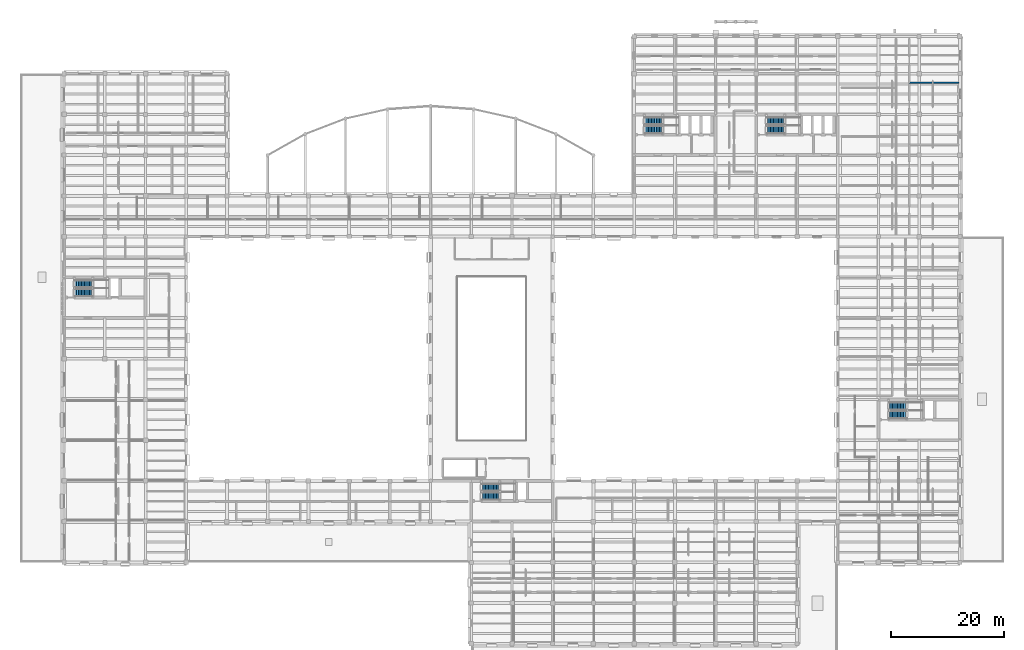
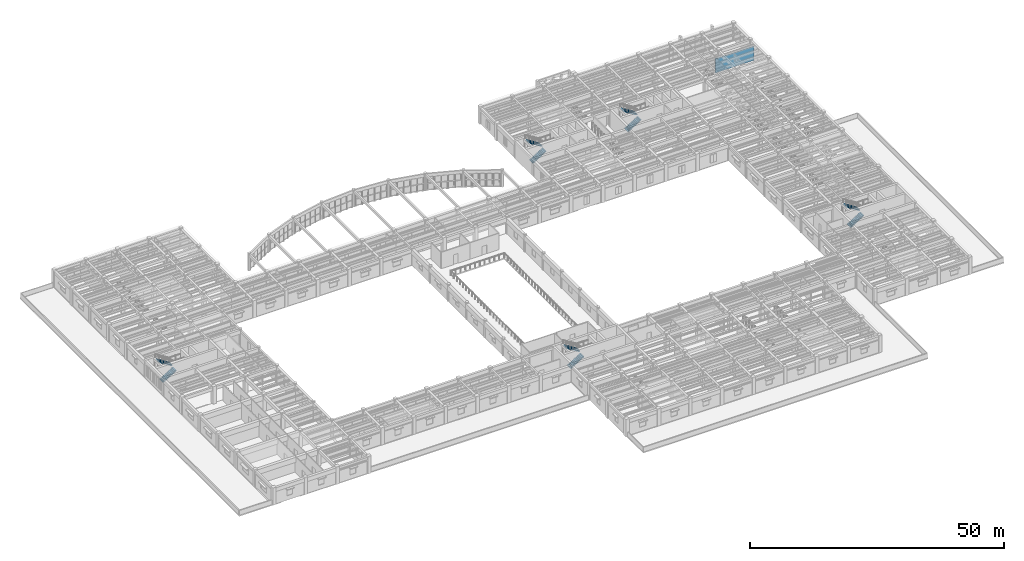
# One storey, part 63 of 76: 10 stair flights, 1 wall, 5 elements without a shape of their own.
"""IFC4 building model written with IfcOpenShell, lengths in metres."""

from ifc_helpers import new_model, si_unit, direction, frame, frame_2d, origin, place, context, subcontext, project, spatial, polyline, rectangle, outline, extrude, material, layer, layer_set, type_object, element, aggregate, save


model = new_model("IFC4")

# Units and contexts
model_context = context("Model", 3, precision=1e-05, world=origin(), true_north=direction((0.0, 1.0)))
body_context = subcontext(model_context, "Body", "Model", "MODEL_VIEW")
ifc_project = project(units=[si_unit("LENGTHUNIT", "METRE"), si_unit("AREAUNIT", "SQUARE_METRE"), si_unit("VOLUMEUNIT", "CUBIC_METRE"), si_unit("PLANEANGLEUNIT", "RADIAN"), si_unit("MASSUNIT", "GRAM", prefix="KILO")], contexts=[model_context])

# Site, building, storey
site_placement = place(None, origin())
site = spatial("IfcSite", under=ifc_project, at=site_placement, CompositionType="ELEMENT")
building_placement = place(site_placement, origin())
building = spatial("IfcBuilding", under=site, at=building_placement, Name="Mithqara Police Headquarters", CompositionType="ELEMENT")
storey_placement = place(building_placement, frame((0.0, 0.0, 5.39990234375)))
storey = spatial("IfcBuildingStorey", under=building, at=storey_placement, Name="L01", CompositionType="ELEMENT", Elevation=5.39990234375)

# Wall
ifc_material = material(Name="Concrete C40/50", Category="concrete")
ifc_layer = layer(ifc_material, 0.2099609375, Name="Concrete C40/50")
ifc_layer_set = layer_set([ifc_layer], Name="Concrete C40/50")
wall_type = type_object("IfcWallType", Name="PART WALL 210", PredefinedType="PARTITIONING", material=ifc_layer_set)
wall_placement = place(storey_placement, frame((157.235107421875, 105.7900390625, 0.0), z_axis=(0.0, 0.0, 1.0), x_axis=(1.0, 0.0, 0.0)))
element("IfcWall", 1, at=wall_placement, inside=storey, type_object=wall_type, Name="L01 Room Partition Patrol Supervisors' Office", PredefinedType="PARTITIONING", context=body_context, shape_type="SweptSolid", body=[
    extrude(rectangle(XDim=8.784912109375, YDim=0.2099609375, at=frame_2d((4.392578125, 0.0))), origin(), (0.0, 0.0, 1.0), 3.3701171875),
])

# Stair, stair flights
stair_type_1 = type_object("IfcStairType", Name="STAIR ST 01-R24", PredefinedType="HALF_TURN_STAIR", material=ifc_material)
stair_1_placement = place(storey_placement, origin())
stair_1 = element("IfcStair", 2, at=stair_1_placement, inside=storey, type_object=stair_type_1, Name="L01 Core C1 Command West Exit Stair", PredefinedType="HALF_TURN_STAIR")
stair_flight_type_1 = type_object("IfcStairFlightType", Name="STAIR FLIGHT ST 01 F R12", PredefinedType="STRAIGHT", material=ifc_material)
stair_flight_1_placement = place(storey_placement, frame((110.550048828125, 97.47509765625, 0.0), z_axis=(0.0, 0.0, 1.0), x_axis=(1.0, 0.0, 0.0)))
stair_flight_1 = element("IfcStairFlight", 3, at=stair_flight_1_placement, type_object=stair_flight_type_1, Name="ST-01 flight 1", NumberOfRisers=12, NumberOfTreads=11, PredefinedType="STRAIGHT", RiserHeight=0.175, TreadLength=0.28, context=body_context, shape_type="SweptSolid", body=[
    extrude(outline(polyline([(0.0, 0.0), (0.0, 0.175048828125), (0.280029296875, 0.175048828125), (0.280029296875, 0.35009765625), (0.56005859375, 0.35009765625), (0.56005859375, 0.52490234375), (0.840087890625, 0.52490234375), (0.840087890625, 0.699951171875), (1.1201171875, 0.699951171875), (1.1201171875, 0.875), (1.39990234375, 0.875), (1.39990234375, 1.050048828125), (1.679931640625, 1.050048828125), (1.679931640625, 1.22509765625), (1.9599609375, 1.22509765625), (1.9599609375, 1.39990234375), (2.239990234375, 1.39990234375), (2.239990234375, 1.574951171875), (2.52001953125, 1.574951171875), (2.52001953125, 1.75), (2.800048828125, 1.75), (2.800048828125, 1.925048828125), (3.080078125, 1.925048828125), (3.080078125, 2.10009765625), (3.080078125, 1.748291015625), (0.28271484375, 0.0), (0.0, 0.0)])), frame((0.0, 0.675048828125, 0.0), z_axis=(0.0, -1.0, 0.0), x_axis=(1.0, 0.0, 0.0)), (0.0, 0.0, 1.0), 1.35009765625),
])
stair_flight_2_placement = place(storey_placement, frame((113.6298828125, 99.02490234375, 2.10009765625), z_axis=(0.0, 0.0, 1.0), x_axis=(-1.0, 0.0, 0.0)))
stair_flight_2 = element("IfcStairFlight", 4, at=stair_flight_2_placement, type_object=stair_flight_type_1, Name="ST-01 flight 2", NumberOfRisers=12, NumberOfTreads=11, PredefinedType="STRAIGHT", RiserHeight=0.175, TreadLength=0.28, context=body_context, shape_type="SweptSolid", body=[
    extrude(outline(polyline([(0.0, 0.0), (0.0, 0.175048828125), (0.280029296875, 0.175048828125), (0.280029296875, 0.35009765625), (0.56005859375, 0.35009765625), (0.56005859375, 0.52490234375), (0.840087890625, 0.52490234375), (0.840087890625, 0.699951171875), (1.1201171875, 0.699951171875), (1.1201171875, 0.875), (1.39990234375, 0.875), (1.39990234375, 1.050048828125), (1.679931640625, 1.050048828125), (1.679931640625, 1.22509765625), (1.9599609375, 1.22509765625), (1.9599609375, 1.39990234375), (2.239990234375, 1.39990234375), (2.239990234375, 1.574951171875), (2.52001953125, 1.574951171875), (2.52001953125, 1.75), (2.800048828125, 1.75), (2.800048828125, 1.925048828125), (3.080078125, 1.925048828125), (3.080078125, 2.10009765625), (3.080078125, 1.748291015625), (0.28271484375, 0.0), (0.0, 0.0)])), frame((0.0, 0.675048828125, 0.0), z_axis=(0.0, -1.0, 0.0), x_axis=(1.0, 0.0, 0.0)), (0.0, 0.0, 1.0), 1.35009765625),
])
aggregate(stair_1, [stair_flight_1, stair_flight_2])

stair_type_2 = type_object("IfcStairType", Name="STAIR ST 02-R24", PredefinedType="HALF_TURN_STAIR", material=ifc_material)
stair_2_placement = place(storey_placement, origin())
stair_2 = element("IfcStair", 5, at=stair_2_placement, inside=storey, type_object=stair_type_2, Name="L01 Core C2 Command East Exit Stair", PredefinedType="HALF_TURN_STAIR")
stair_flight_type_2 = type_object("IfcStairFlightType", Name="STAIR FLIGHT ST 02 F R12", PredefinedType="STRAIGHT", material=ifc_material)
stair_flight_3_placement = place(storey_placement, frame((132.14990234375, 97.47509765625, 0.0), z_axis=(0.0, 0.0, 1.0), x_axis=(1.0, 0.0, 0.0)))
stair_flight_3 = element("IfcStairFlight", 6, at=stair_flight_3_placement, type_object=stair_flight_type_2, Name="ST-02 flight 1", NumberOfRisers=12, NumberOfTreads=11, PredefinedType="STRAIGHT", RiserHeight=0.175, TreadLength=0.28, context=body_context, shape_type="SweptSolid", body=[
    extrude(outline(polyline([(0.0, 0.0), (0.0, 0.175048828125), (0.280029296875, 0.175048828125), (0.280029296875, 0.35009765625), (0.56005859375, 0.35009765625), (0.56005859375, 0.52490234375), (0.840087890625, 0.52490234375), (0.840087890625, 0.699951171875), (1.1201171875, 0.699951171875), (1.1201171875, 0.875), (1.39990234375, 0.875), (1.39990234375, 1.050048828125), (1.679931640625, 1.050048828125), (1.679931640625, 1.22509765625), (1.9599609375, 1.22509765625), (1.9599609375, 1.39990234375), (2.239990234375, 1.39990234375), (2.239990234375, 1.574951171875), (2.52001953125, 1.574951171875), (2.52001953125, 1.75), (2.800048828125, 1.75), (2.800048828125, 1.925048828125), (3.080078125, 1.925048828125), (3.080078125, 2.10009765625), (3.080078125, 1.748291015625), (0.28271484375, 0.0), (0.0, 0.0)])), frame((0.0, 0.675048828125, 0.0), z_axis=(0.0, -1.0, 0.0), x_axis=(1.0, 0.0, 0.0)), (0.0, 0.0, 1.0), 1.35009765625),
])
stair_flight_4_placement = place(storey_placement, frame((135.22998046875, 99.02490234375, 2.10009765625), z_axis=(0.0, 0.0, 1.0), x_axis=(-1.0, 0.0, 0.0)))
stair_flight_4 = element("IfcStairFlight", 7, at=stair_flight_4_placement, type_object=stair_flight_type_2, Name="ST-02 flight 2", NumberOfRisers=12, NumberOfTreads=11, PredefinedType="STRAIGHT", RiserHeight=0.175, TreadLength=0.28, context=body_context, shape_type="SweptSolid", body=[
    extrude(outline(polyline([(0.0, 0.0), (0.0, 0.175048828125), (0.280029296875, 0.175048828125), (0.280029296875, 0.35009765625), (0.56005859375, 0.35009765625), (0.56005859375, 0.52490234375), (0.840087890625, 0.52490234375), (0.840087890625, 0.699951171875), (1.1201171875, 0.699951171875), (1.1201171875, 0.875), (1.39990234375, 0.875), (1.39990234375, 1.050048828125), (1.679931640625, 1.050048828125), (1.679931640625, 1.22509765625), (1.9599609375, 1.22509765625), (1.9599609375, 1.39990234375), (2.239990234375, 1.39990234375), (2.239990234375, 1.574951171875), (2.52001953125, 1.574951171875), (2.52001953125, 1.75), (2.800048828125, 1.75), (2.800048828125, 1.925048828125), (3.080078125, 1.925048828125), (3.080078125, 2.10009765625), (3.080078125, 1.748291015625), (0.28271484375, 0.0), (0.0, 0.0)])), frame((0.0, 0.675048828125, 0.0), z_axis=(0.0, -1.0, 0.0), x_axis=(1.0, 0.0, 0.0)), (0.0, 0.0, 1.0), 1.35009765625),
])
aggregate(stair_2, [stair_flight_3, stair_flight_4])

stair_type_3 = type_object("IfcStairType", Name="STAIR ST 03-R24", PredefinedType="HALF_TURN_STAIR", material=ifc_material)
stair_3_placement = place(storey_placement, origin())
stair_3 = element("IfcStair", 8, at=stair_3_placement, inside=storey, type_object=stair_type_3, Name="L01 Core C3 Operations West Exit Stair", PredefinedType="HALF_TURN_STAIR")
stair_flight_type_3 = type_object("IfcStairFlightType", Name="STAIR FLIGHT ST 03 F R12", PredefinedType="STRAIGHT", material=ifc_material)
stair_flight_5_placement = place(storey_placement, frame((9.75, 68.675048828125, 0.0), z_axis=(0.0, 0.0, 1.0), x_axis=(1.0, 0.0, 0.0)))
stair_flight_5 = element("IfcStairFlight", 9, at=stair_flight_5_placement, type_object=stair_flight_type_3, Name="ST-03 flight 1", NumberOfRisers=12, NumberOfTreads=11, PredefinedType="STRAIGHT", RiserHeight=0.175, TreadLength=0.28, context=body_context, shape_type="SweptSolid", body=[
    extrude(outline(polyline([(0.0, 0.0), (0.0, 0.175048828125), (0.280029296875, 0.175048828125), (0.280029296875, 0.35009765625), (0.56005859375, 0.35009765625), (0.56005859375, 0.52490234375), (0.840087890625, 0.52490234375), (0.840087890625, 0.699951171875), (1.1201171875, 0.699951171875), (1.1201171875, 0.875), (1.39990234375, 0.875), (1.39990234375, 1.050048828125), (1.679931640625, 1.050048828125), (1.679931640625, 1.22509765625), (1.9599609375, 1.22509765625), (1.9599609375, 1.39990234375), (2.239990234375, 1.39990234375), (2.239990234375, 1.574951171875), (2.52001953125, 1.574951171875), (2.52001953125, 1.75), (2.800048828125, 1.75), (2.800048828125, 1.925048828125), (3.080078125, 1.925048828125), (3.080078125, 2.10009765625), (3.080078125, 1.748291015625), (0.28271484375, 0.0), (0.0, 0.0)])), frame((0.0, 0.675048828125, 0.0), z_axis=(0.0, -1.0, 0.0), x_axis=(1.0, 0.0, 0.0)), (0.0, 0.0, 1.0), 1.35009765625),
])
stair_flight_6_placement = place(storey_placement, frame((12.830078125, 70.22509765625, 2.10009765625), z_axis=(0.0, 0.0, 1.0), x_axis=(-1.0, 0.0, 0.0)))
stair_flight_6 = element("IfcStairFlight", 10, at=stair_flight_6_placement, type_object=stair_flight_type_3, Name="ST-03 flight 2", NumberOfRisers=12, NumberOfTreads=11, PredefinedType="STRAIGHT", RiserHeight=0.175, TreadLength=0.28, context=body_context, shape_type="SweptSolid", body=[
    extrude(outline(polyline([(0.0, 0.0), (0.0, 0.175048828125), (0.280029296875, 0.175048828125), (0.280029296875, 0.35009765625), (0.56005859375, 0.35009765625), (0.56005859375, 0.52490234375), (0.840087890625, 0.52490234375), (0.840087890625, 0.699951171875), (1.1201171875, 0.699951171875), (1.1201171875, 0.875), (1.39990234375, 0.875), (1.39990234375, 1.050048828125), (1.679931640625, 1.050048828125), (1.679931640625, 1.22509765625), (1.9599609375, 1.22509765625), (1.9599609375, 1.39990234375), (2.239990234375, 1.39990234375), (2.239990234375, 1.574951171875), (2.52001953125, 1.574951171875), (2.52001953125, 1.75), (2.800048828125, 1.75), (2.800048828125, 1.925048828125), (3.080078125, 1.925048828125), (3.080078125, 2.10009765625), (3.080078125, 1.748291015625), (0.28271484375, 0.0), (0.0, 0.0)])), frame((0.0, 0.675048828125, 0.0), z_axis=(0.0, -1.0, 0.0), x_axis=(1.0, 0.0, 0.0)), (0.0, 0.0, 1.0), 1.35009765625),
])
aggregate(stair_3, [stair_flight_5, stair_flight_6])

stair_type_4 = type_object("IfcStairType", Name="STAIR ST 04-R24", PredefinedType="HALF_TURN_STAIR", material=ifc_material)
stair_4_placement = place(storey_placement, origin())
stair_4 = element("IfcStair", 11, at=stair_4_placement, inside=storey, type_object=stair_type_4, Name="L01 Core C4 Forensics East Exit Stair", PredefinedType="HALF_TURN_STAIR")
stair_flight_type_4 = type_object("IfcStairFlightType", Name="STAIR FLIGHT ST 04 F R12", PredefinedType="STRAIGHT", material=ifc_material)
stair_flight_7_placement = place(storey_placement, frame((153.75, 47.074951171875, 0.0), z_axis=(0.0, 0.0, 1.0), x_axis=(1.0, 0.0, 0.0)))
stair_flight_7 = element("IfcStairFlight", 12, at=stair_flight_7_placement, type_object=stair_flight_type_4, Name="ST-04 flight 1", NumberOfRisers=12, NumberOfTreads=11, PredefinedType="STRAIGHT", RiserHeight=0.175, TreadLength=0.28, context=body_context, shape_type="SweptSolid", body=[
    extrude(outline(polyline([(0.0, 0.0), (0.0, 0.175048828125), (0.280029296875, 0.175048828125), (0.280029296875, 0.35009765625), (0.56005859375, 0.35009765625), (0.56005859375, 0.52490234375), (0.840087890625, 0.52490234375), (0.840087890625, 0.699951171875), (1.1201171875, 0.699951171875), (1.1201171875, 0.875), (1.39990234375, 0.875), (1.39990234375, 1.050048828125), (1.679931640625, 1.050048828125), (1.679931640625, 1.22509765625), (1.9599609375, 1.22509765625), (1.9599609375, 1.39990234375), (2.239990234375, 1.39990234375), (2.239990234375, 1.574951171875), (2.52001953125, 1.574951171875), (2.52001953125, 1.75), (2.800048828125, 1.75), (2.800048828125, 1.925048828125), (3.080078125, 1.925048828125), (3.080078125, 2.10009765625), (3.080078125, 1.748291015625), (0.28271484375, 0.0), (0.0, 0.0)])), frame((0.0, 0.675048828125, 0.0), z_axis=(0.0, -1.0, 0.0), x_axis=(1.0, 0.0, 0.0)), (0.0, 0.0, 1.0), 1.35009765625),
])
stair_flight_8_placement = place(storey_placement, frame((156.830078125, 48.625, 2.10009765625), z_axis=(0.0, 0.0, 1.0), x_axis=(-1.0, 0.0, 0.0)))
stair_flight_8 = element("IfcStairFlight", 13, at=stair_flight_8_placement, type_object=stair_flight_type_4, Name="ST-04 flight 2", NumberOfRisers=12, NumberOfTreads=11, PredefinedType="STRAIGHT", RiserHeight=0.175, TreadLength=0.28, context=body_context, shape_type="SweptSolid", body=[
    extrude(outline(polyline([(0.0, 0.0), (0.0, 0.175048828125), (0.280029296875, 0.175048828125), (0.280029296875, 0.35009765625), (0.56005859375, 0.35009765625), (0.56005859375, 0.52490234375), (0.840087890625, 0.52490234375), (0.840087890625, 0.699951171875), (1.1201171875, 0.699951171875), (1.1201171875, 0.875), (1.39990234375, 0.875), (1.39990234375, 1.050048828125), (1.679931640625, 1.050048828125), (1.679931640625, 1.22509765625), (1.9599609375, 1.22509765625), (1.9599609375, 1.39990234375), (2.239990234375, 1.39990234375), (2.239990234375, 1.574951171875), (2.52001953125, 1.574951171875), (2.52001953125, 1.75), (2.800048828125, 1.75), (2.800048828125, 1.925048828125), (3.080078125, 1.925048828125), (3.080078125, 2.10009765625), (3.080078125, 1.748291015625), (0.28271484375, 0.0), (0.0, 0.0)])), frame((0.0, 0.675048828125, 0.0), z_axis=(0.0, -1.0, 0.0), x_axis=(1.0, 0.0, 0.0)), (0.0, 0.0, 1.0), 1.35009765625),
])
aggregate(stair_4, [stair_flight_7, stair_flight_8])

stair_type_5 = type_object("IfcStairType", Name="STAIR ST 07-R24", PredefinedType="HALF_TURN_STAIR", material=ifc_material)
stair_5_placement = place(storey_placement, origin())
stair_5 = element("IfcStair", 14, at=stair_5_placement, inside=storey, type_object=stair_type_5, Name="L01 Core C5 Courtyard South Exit Stair", PredefinedType="HALF_TURN_STAIR")
stair_flight_type_5 = type_object("IfcStairFlightType", Name="STAIR FLIGHT ST 07 F R12", PredefinedType="STRAIGHT", material=ifc_material)
stair_flight_9_placement = place(storey_placement, frame((81.75, 32.675048828125, 0.0), z_axis=(0.0, 0.0, 1.0), x_axis=(1.0, 0.0, 0.0)))
stair_flight_9 = element("IfcStairFlight", 15, at=stair_flight_9_placement, type_object=stair_flight_type_5, Name="ST-07 flight 1", NumberOfRisers=12, NumberOfTreads=11, PredefinedType="STRAIGHT", RiserHeight=0.175, TreadLength=0.28, context=body_context, shape_type="SweptSolid", body=[
    extrude(outline(polyline([(0.0, 0.0), (0.0, 0.175048828125), (0.280029296875, 0.175048828125), (0.280029296875, 0.35009765625), (0.56005859375, 0.35009765625), (0.56005859375, 0.52490234375), (0.840087890625, 0.52490234375), (0.840087890625, 0.699951171875), (1.1201171875, 0.699951171875), (1.1201171875, 0.875), (1.39990234375, 0.875), (1.39990234375, 1.050048828125), (1.679931640625, 1.050048828125), (1.679931640625, 1.22509765625), (1.9599609375, 1.22509765625), (1.9599609375, 1.39990234375), (2.239990234375, 1.39990234375), (2.239990234375, 1.574951171875), (2.52001953125, 1.574951171875), (2.52001953125, 1.75), (2.800048828125, 1.75), (2.800048828125, 1.925048828125), (3.080078125, 1.925048828125), (3.080078125, 2.10009765625), (3.080078125, 1.748291015625), (0.28271484375, 0.0), (0.0, 0.0)])), frame((0.0, 0.675048828125, 0.0), z_axis=(0.0, -1.0, 0.0), x_axis=(1.0, 0.0, 0.0)), (0.0, 0.0, 1.0), 1.35009765625),
])
stair_flight_10_placement = place(storey_placement, frame((84.830078125, 34.22509765625, 2.10009765625), z_axis=(0.0, 0.0, 1.0), x_axis=(-1.0, 0.0, 0.0)))
stair_flight_10 = element("IfcStairFlight", 16, at=stair_flight_10_placement, type_object=stair_flight_type_5, Name="ST-07 flight 2", NumberOfRisers=12, NumberOfTreads=11, PredefinedType="STRAIGHT", RiserHeight=0.175, TreadLength=0.28, context=body_context, shape_type="SweptSolid", body=[
    extrude(outline(polyline([(0.0, 0.0), (0.0, 0.175048828125), (0.280029296875, 0.175048828125), (0.280029296875, 0.35009765625), (0.56005859375, 0.35009765625), (0.56005859375, 0.52490234375), (0.840087890625, 0.52490234375), (0.840087890625, 0.699951171875), (1.1201171875, 0.699951171875), (1.1201171875, 0.875), (1.39990234375, 0.875), (1.39990234375, 1.050048828125), (1.679931640625, 1.050048828125), (1.679931640625, 1.22509765625), (1.9599609375, 1.22509765625), (1.9599609375, 1.39990234375), (2.239990234375, 1.39990234375), (2.239990234375, 1.574951171875), (2.52001953125, 1.574951171875), (2.52001953125, 1.75), (2.800048828125, 1.75), (2.800048828125, 1.925048828125), (3.080078125, 1.925048828125), (3.080078125, 2.10009765625), (3.080078125, 1.748291015625), (0.28271484375, 0.0), (0.0, 0.0)])), frame((0.0, 0.675048828125, 0.0), z_axis=(0.0, -1.0, 0.0), x_axis=(1.0, 0.0, 0.0)), (0.0, 0.0, 1.0), 1.35009765625),
])
aggregate(stair_5, [stair_flight_9, stair_flight_10])

save(model, "model.ifc")
